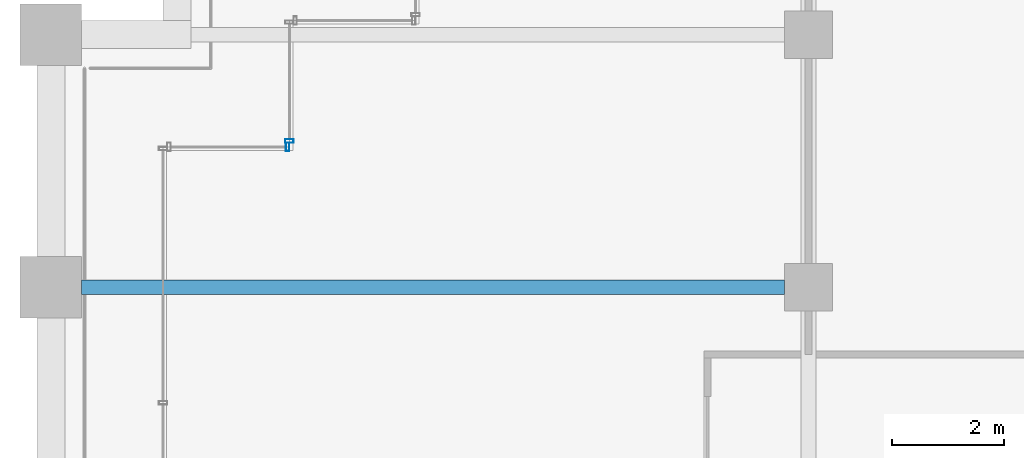
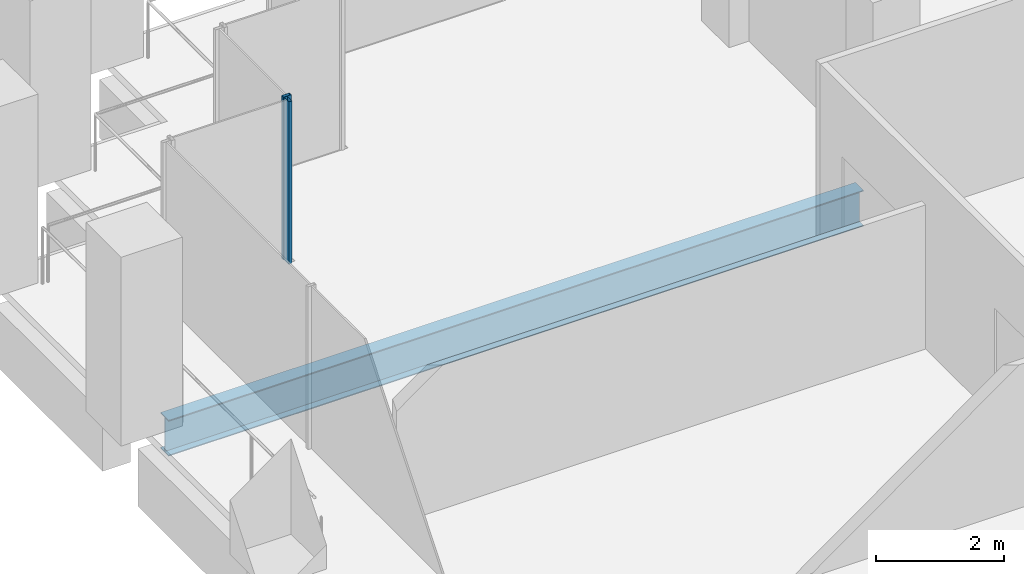
# One storey, part 24 of 56: 2 members, 1 beam, 2 elements without a shape of their own.
"""IFC4 building model written with IfcOpenShell, lengths in metres."""

import ifcopenshell
import ifcopenshell.guid

model = None  # the IFC model being written
_history = None  # IfcOwnerHistory: only IFC2X3 demands one
_inside = {}  # id of a spatial element -> (the spatial element, [elements in it])
_under = {}  # id of a project, library or spatial element -> (it, [spatial elements below it])
_declared = {}  # id of a project -> (the project, [libraries it declares])
_typed = {}  # id of a type object -> (the type object, [elements of that type])
_made_of = {}  # id of a material, layer set ... -> (it, [elements and type objects made of it])


def new_model(schema):
    """Start an empty IFC model of exactly this schema.

    Asked for "IFC4X3", IfcOpenShell would pick the latest addendum, in which some entities
    have other attributes; the version numbers below select the first issue.
    IFC2X3 requires an IfcOwnerHistory on every rooted entity: one is made here for all.
    """
    global model, _history
    if schema == "IFC4X3":
        model = ifcopenshell.file(schema_version=(4, 3, 0, 0))
    else:
        model = ifcopenshell.file(schema=schema)
    _inside.clear()
    _under.clear()
    _declared.clear()
    _typed.clear()
    _made_of.clear()
    _history = None
    if model.schema == "IFC2X3":
        org = make("IfcOrganization", Name="unknown")
        user = make(
            "IfcPersonAndOrganization",
            ThePerson=make("IfcPerson", FamilyName="unknown"),
            TheOrganization=org,
        )
        app = make(
            "IfcApplication",
            ApplicationDeveloper=org,
            Version="unknown",
            ApplicationFullName="unknown",
            ApplicationIdentifier="unknown",
        )
        _history = make(
            "IfcOwnerHistory",
            OwningUser=user,
            OwningApplication=app,
            ChangeAction="ADDED",
            CreationDate=0,
        )
    return model


def make(cls, **values):
    """One entity of the class cls with the attributes given. An attribute that is None is left unset."""
    return model.create_entity(
        cls, **{name: value for name, value in values.items() if value is not None}
    )


def rooted(cls, **values):
    """An entity with a GlobalId (a new one), such as an element, a storey or a relation."""
    return make(cls, GlobalId=ifcopenshell.guid.new(), OwnerHistory=_history, **values)


def si_unit(unit_type, name, prefix=None):
    """IfcSIUnit, for example si_unit("LENGTHUNIT", "METRE", prefix="MILLI")."""
    return make("IfcSIUnit", UnitType=unit_type, Prefix=prefix, Name=name)


def assignment(units):
    """IfcUnitAssignment: the units of a project."""
    return None if units is None else make("IfcUnitAssignment", Units=units)


def point(xyz):
    """IfcCartesianPoint."""
    return None if xyz is None else make("IfcCartesianPoint", Coordinates=xyz)


def direction(xyz):
    """IfcDirection."""
    return None if xyz is None else make("IfcDirection", DirectionRatios=xyz)


def frame(location, z_axis=None, x_axis=None):
    """IfcAxis2Placement3D, a coordinate frame: its origin and axes. An axis left out is left unset."""
    return make(
        "IfcAxis2Placement3D",
        Location=point(location),
        Axis=direction(z_axis),
        RefDirection=direction(x_axis),
    )


def frame_2d(location, x_axis=None):
    """IfcAxis2Placement2D, a coordinate frame in the plane: its origin and x axis."""
    return make(
        "IfcAxis2Placement2D", Location=point(location), RefDirection=direction(x_axis)
    )


def origin():
    """The frame at (0, 0, 0) with its axes left unset."""
    return frame((0.0, 0.0, 0.0))


def origin_2d():
    """The frame at (0, 0) in the plane with its x axis left unset."""
    return frame_2d((0.0, 0.0))


def place(relative_to, where):
    """IfcLocalPlacement: puts the frame where relative to a parent placement (None: the world)."""
    return make(
        "IfcLocalPlacement", PlacementRelTo=relative_to, RelativePlacement=where
    )


def context(
    kind, dimensions, precision=None, world=None, true_north=None, identifier=None
):
    """IfcGeometricRepresentationContext, for example the 3D "Model" context."""
    return make(
        "IfcGeometricRepresentationContext",
        ContextIdentifier=identifier,
        ContextType=kind,
        CoordinateSpaceDimension=dimensions,
        Precision=precision,
        WorldCoordinateSystem=world,
        TrueNorth=true_north,
    )


def subcontext(parent, identifier, kind, view, scale=None):
    """IfcGeometricRepresentationSubContext, for example "Body" below "Model"."""
    return make(
        "IfcGeometricRepresentationSubContext",
        ContextIdentifier=identifier,
        ContextType=kind,
        ParentContext=parent,
        TargetScale=scale,
        TargetView=view,
    )


def project(units=None, contexts=None):
    """IfcProject with its units and contexts."""
    return rooted(
        "IfcProject",
        Name="project",
        RepresentationContexts=contexts,
        UnitsInContext=assignment(units),
    )


def spatial(cls, under=None, at=None, **own):
    """A site, building, storey or space (cls), placed at a placement, below another one or the project."""
    s = rooted(cls, ObjectPlacement=at, **own)
    if under is not None:
        _under.setdefault(under.id(), (under, []))[1].append(s)
    return s


def profile(cls, at=None, kind="AREA", **sizes):
    """A parametric profile (cls). Its sizes go by their IFC names, for example OverallWidth=200.0."""
    return make(cls, ProfileType=kind, Position=at, **sizes)


def hollow_rectangle(**sizes):
    """IfcRectangleHollowProfileDef."""
    return profile("IfcRectangleHollowProfileDef", **sizes)


def i_section(**sizes):
    """IfcIShapeProfileDef."""
    return profile("IfcIShapeProfileDef", **sizes)


def extrude(swept, where, along, depth):
    """IfcExtrudedAreaSolid: the profile swept, set in the frame where, extruded along a direction by depth."""
    return make(
        "IfcExtrudedAreaSolid",
        SweptArea=swept,
        Position=where,
        ExtrudedDirection=direction(along),
        Depth=depth,
    )


def shape(context_of_items, identifier, shape_type, items):
    """IfcShapeRepresentation: the items that make up one representation, for example the "Body"."""
    return make(
        "IfcShapeRepresentation",
        ContextOfItems=context_of_items,
        RepresentationIdentifier=identifier,
        RepresentationType=shape_type,
        Items=items,
    )


def material(Name=None, Category=None):
    """IfcMaterial."""
    return make("IfcMaterial", Name=Name, Category=Category)


def material_profile(
    of_material, cross_section, Name=None, Category=None, Priority=None
):
    """IfcMaterialProfile: a cross section and its material."""
    return make(
        "IfcMaterialProfile",
        Name=Name,
        Material=of_material,
        Profile=cross_section,
        Priority=Priority,
        Category=Category,
    )


def profile_set(profiles, Name=None, composite=None):
    """IfcMaterialProfileSet."""
    return make(
        "IfcMaterialProfileSet",
        Name=Name,
        MaterialProfiles=profiles,
        CompositeProfile=composite,
    )


def made_of(thing, what):
    """Note that an element or type object is made of a material, layer set ...; save() writes the relation."""
    if what is not None:
        _made_of.setdefault(what.id(), (what, []))[1].append(thing)
    return thing


def type_object(cls, material=None, **own):
    """A type object (cls), such as IfcWallType, which elements share."""
    return made_of(rooted(cls, **own), material)


def element(
    cls,
    number,
    at=None,
    inside=None,
    cuts=None,
    type_object=None,
    material=None,
    context=None,
    identifier="Body",
    shape_type=None,
    held_by="IfcProductDefinitionShape",
    body=None,
    shapes=None,
    **own,
):
    """One element of the class cls, such as IfcWall. Its Tag is "e" and its number.

    at: its placement. inside: the storey or other place that contains it. cuts: it is an
    opening in that element (IfcRelVoidsElement). A single representation is given by context,
    identifier, shape_type and body (its items); several are given by shapes. held_by: the class
    of the entity that holds the representations. save() writes the other relations.
    """
    e = rooted(cls, Tag="e%d" % number, ObjectPlacement=at, **own)
    if body is not None:
        shapes = [shape(context, identifier, shape_type, body)]
    if shapes is not None:
        e.Representation = make(held_by, Representations=shapes)
    if inside is not None:
        _inside.setdefault(inside.id(), (inside, []))[1].append(e)
    if cuts is not None:
        rooted(
            "IfcRelVoidsElement", RelatingBuildingElement=cuts, RelatedOpeningElement=e
        )
    if type_object is not None:
        _typed.setdefault(type_object.id(), (type_object, []))[1].append(e)
    return made_of(e, material)


def aggregate(whole, parts):
    """IfcRelAggregates: a whole, such as a stair, and the parts it consists of."""
    return rooted("IfcRelAggregates", RelatingObject=whole, RelatedObjects=parts)


def save(model, path):
    """Write the relations noted so far, then the file.

    IfcRelAggregates (storeys below a building ...), IfcRelContainedInSpatialStructure (elements
    in a storey), IfcRelDefinesByType, IfcRelAssociatesMaterial and IfcRelDeclares: one each for
    every whole, place, type object, material and project.
    """
    for whole, parts in _under.values():
        aggregate(whole, parts)
    for where, things in _inside.values():
        rooted(
            "IfcRelContainedInSpatialStructure",
            RelatedElements=things,
            RelatingStructure=where,
        )
    for kind, things in _typed.values():
        rooted("IfcRelDefinesByType", RelatedObjects=things, RelatingType=kind)
    for what, things in _made_of.values():
        rooted("IfcRelAssociatesMaterial", RelatedObjects=things, RelatingMaterial=what)
    for by, libraries in _declared.values():
        rooted("IfcRelDeclares", RelatingContext=by, RelatedDefinitions=libraries)
    model.write(path)


model = new_model("IFC4")

# Units and contexts
model_context = context("Model", 3, precision=1e-05, world=origin(), true_north=direction((0.0, 1.0)))
body_context = subcontext(model_context, "Body", "Model", "MODEL_VIEW")
ifc_project = project(units=[si_unit("LENGTHUNIT", "METRE"), si_unit("AREAUNIT", "SQUARE_METRE"), si_unit("VOLUMEUNIT", "CUBIC_METRE"), si_unit("PLANEANGLEUNIT", "RADIAN"), si_unit("MASSUNIT", "GRAM", prefix="KILO")], contexts=[model_context])

# Site, building, storey
site_placement = place(None, origin())
site = spatial("IfcSite", under=ifc_project, at=site_placement, CompositionType="ELEMENT")
building_placement = place(site_placement, origin())
building = spatial("IfcBuilding", under=site, at=building_placement, Name="Altepetl Exchange Towers", CompositionType="ELEMENT")
storey_placement = place(building_placement, frame((0.0, 0.0, 79.800048828125)))
storey = spatial("IfcBuildingStorey", under=building, at=storey_placement, Name="L19", CompositionType="ELEMENT", Elevation=79.800048828125)

# Beam
ifc_material_1 = material(Name="Steel S355", Category="steel")
ifc_material_profile_1 = material_profile(ifc_material_1, i_section(OverallWidth=0.25390625, OverallDepth=0.68408203125, WebThickness=0.012451171875, FlangeThickness=0.018798828125, at=origin_2d()), Name="W27X94")
ifc_profile_set_1 = profile_set([ifc_material_profile_1], Name="Steel S355")
beam_type = type_object("IfcBeamType", Name="Floor beam W27X94", PredefinedType="BEAM", material=ifc_profile_set_1)
beam_placement = place(storey_placement, frame((27.550048828125, 63.0, -0.491943359375), z_axis=(1.0, 0.0, 0.0), x_axis=(0.0, 1.0, 0.0)))
element("IfcBeam", 1, at=beam_placement, inside=storey, type_object=beam_type, Name="bm:A:L19:022", PredefinedType="BEAM", context=body_context, shape_type="SweptSolid", body=[
    extrude(i_section(OverallWidth=0.25390625, OverallDepth=0.68408203125, WebThickness=0.012451171875, FlangeThickness=0.018798828125, at=origin_2d()), origin(), (0.0, 0.0, 1.0), 12.52490234375),
])

# Curtain wall, member
ifc_material_2 = material(Name="Aluminium 6063-T6 glazing", Category="aluminium")
curtain_wall_type = type_object("IfcCurtainWallType", Name="Loggia glazing system", PredefinedType="NOTDEFINED", material=ifc_material_2)
curtain_wall_1_placement = place(storey_placement, origin())
curtain_wall_1 = element("IfcCurtainWall", 2, at=curtain_wall_1_placement, inside=storey, type_object=curtain_wall_type, Name="CW1 run", PredefinedType="NOTDEFINED")
ifc_material_3 = material(Name="Aluminium 6063-T6", Category="aluminium")
ifc_material_profile_2 = material_profile(ifc_material_3, hollow_rectangle(XDim=0.06005859375, YDim=0.14990234375, WallThickness=0.0029296875, at=origin_2d()), Name="Mullion 60x150 aluminium")
ifc_profile_set_2 = profile_set([ifc_material_profile_2], Name="Aluminium 6063-T6")
member_type = type_object("IfcMemberType", Name="Mullion 60x150 aluminium", PredefinedType="MULLION", material=ifc_profile_set_2)
member_1_placement = place(storey_placement, frame((31.219970703125, 65.5, 0.0), z_axis=(0.0, 0.0, 1.0), x_axis=(-1.0, 0.0, 0.0)))
member_1 = element("IfcMember", 3, at=member_1_placement, type_object=member_type, Name="MU1 mullion", PredefinedType="MULLION", context=body_context, shape_type="SweptSolid", body=[
    extrude(hollow_rectangle(XDim=0.06005859375, YDim=0.14990234375, WallThickness=0.0029296875, at=origin_2d()), origin(), (0.0, 0.0, 1.0), 3.099853515625),
])
aggregate(curtain_wall_1, [member_1])

curtain_wall_2_placement = place(storey_placement, origin())
curtain_wall_2 = element("IfcCurtainWall", 4, at=curtain_wall_2_placement, inside=storey, type_object=curtain_wall_type, Name="CW1 run", PredefinedType="NOTDEFINED")
member_2_placement = place(storey_placement, frame((31.25, 65.60498046875, 0.0), z_axis=(0.0, 0.0, 1.0), x_axis=(0.0, -1.0, 0.0)))
member_2 = element("IfcMember", 5, at=member_2_placement, type_object=member_type, Name="MU1 mullion", PredefinedType="MULLION", context=body_context, shape_type="SweptSolid", body=[
    extrude(hollow_rectangle(XDim=0.06005859375, YDim=0.14990234375, WallThickness=0.0029296875, at=origin_2d()), origin(), (0.0, 0.0, 1.0), 3.099853515625),
])
aggregate(curtain_wall_2, [member_2])

save(model, "model.ifc")
